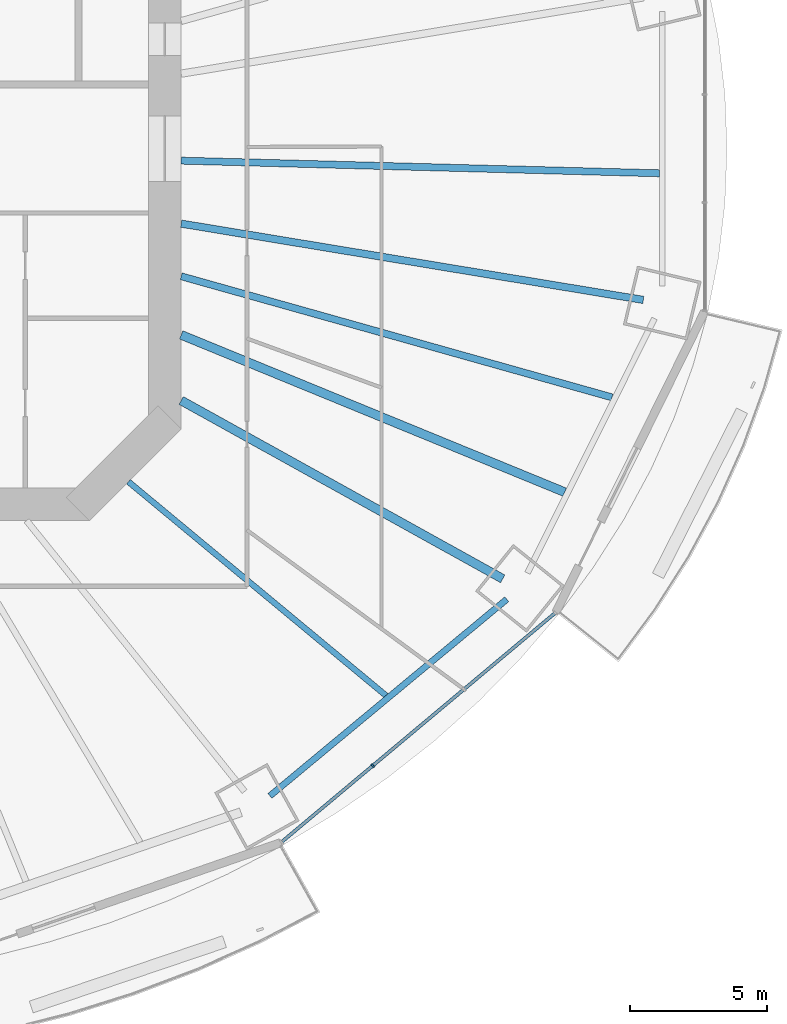
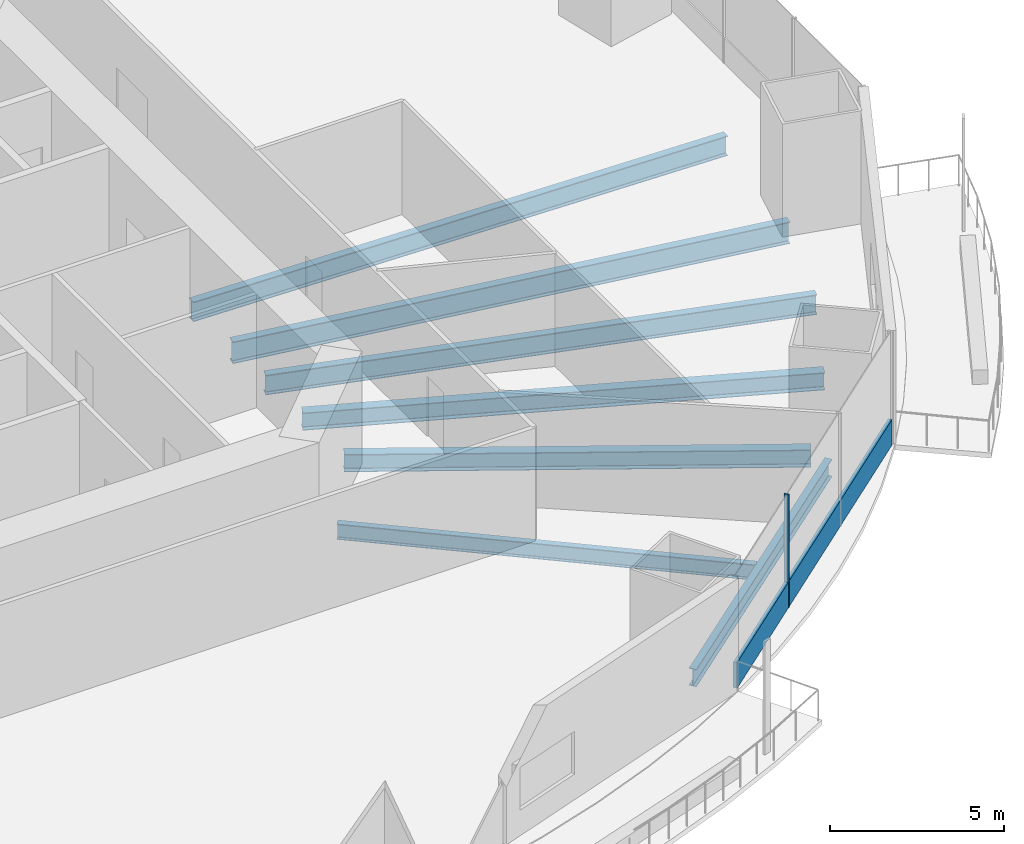
# One storey, part 5 of 23: 7 beams, 2 members, 1 element without a shape of its own.
"""IFC4 building model written with IfcOpenShell, lengths in metres."""

import ifcopenshell
import ifcopenshell.guid

model = None  # the IFC model being written
_history = None  # IfcOwnerHistory: only IFC2X3 demands one
_inside = {}  # id of a spatial element -> (the spatial element, [elements in it])
_under = {}  # id of a project, library or spatial element -> (it, [spatial elements below it])
_declared = {}  # id of a project -> (the project, [libraries it declares])
_typed = {}  # id of a type object -> (the type object, [elements of that type])
_made_of = {}  # id of a material, layer set ... -> (it, [elements and type objects made of it])


def new_model(schema):
    """Start an empty IFC model of exactly this schema.

    Asked for "IFC4X3", IfcOpenShell would pick the latest addendum, in which some entities
    have other attributes; the version numbers below select the first issue.
    IFC2X3 requires an IfcOwnerHistory on every rooted entity: one is made here for all.
    """
    global model, _history
    if schema == "IFC4X3":
        model = ifcopenshell.file(schema_version=(4, 3, 0, 0))
    else:
        model = ifcopenshell.file(schema=schema)
    _inside.clear()
    _under.clear()
    _declared.clear()
    _typed.clear()
    _made_of.clear()
    _history = None
    if model.schema == "IFC2X3":
        org = make("IfcOrganization", Name="unknown")
        user = make(
            "IfcPersonAndOrganization",
            ThePerson=make("IfcPerson", FamilyName="unknown"),
            TheOrganization=org,
        )
        app = make(
            "IfcApplication",
            ApplicationDeveloper=org,
            Version="unknown",
            ApplicationFullName="unknown",
            ApplicationIdentifier="unknown",
        )
        _history = make(
            "IfcOwnerHistory",
            OwningUser=user,
            OwningApplication=app,
            ChangeAction="ADDED",
            CreationDate=0,
        )
    return model


def make(cls, **values):
    """One entity of the class cls with the attributes given. An attribute that is None is left unset."""
    return model.create_entity(
        cls, **{name: value for name, value in values.items() if value is not None}
    )


def rooted(cls, **values):
    """An entity with a GlobalId (a new one), such as an element, a storey or a relation."""
    return make(cls, GlobalId=ifcopenshell.guid.new(), OwnerHistory=_history, **values)


def si_unit(unit_type, name, prefix=None):
    """IfcSIUnit, for example si_unit("LENGTHUNIT", "METRE", prefix="MILLI")."""
    return make("IfcSIUnit", UnitType=unit_type, Prefix=prefix, Name=name)


def assignment(units):
    """IfcUnitAssignment: the units of a project."""
    return None if units is None else make("IfcUnitAssignment", Units=units)


def point(xyz):
    """IfcCartesianPoint."""
    return None if xyz is None else make("IfcCartesianPoint", Coordinates=xyz)


def direction(xyz):
    """IfcDirection."""
    return None if xyz is None else make("IfcDirection", DirectionRatios=xyz)


def frame(location, z_axis=None, x_axis=None):
    """IfcAxis2Placement3D, a coordinate frame: its origin and axes. An axis left out is left unset."""
    return make(
        "IfcAxis2Placement3D",
        Location=point(location),
        Axis=direction(z_axis),
        RefDirection=direction(x_axis),
    )


def frame_2d(location, x_axis=None):
    """IfcAxis2Placement2D, a coordinate frame in the plane: its origin and x axis."""
    return make(
        "IfcAxis2Placement2D", Location=point(location), RefDirection=direction(x_axis)
    )


def origin():
    """The frame at (0, 0, 0) with its axes left unset."""
    return frame((0.0, 0.0, 0.0))


def origin_2d():
    """The frame at (0, 0) in the plane with its x axis left unset."""
    return frame_2d((0.0, 0.0))


def place(relative_to, where):
    """IfcLocalPlacement: puts the frame where relative to a parent placement (None: the world)."""
    return make(
        "IfcLocalPlacement", PlacementRelTo=relative_to, RelativePlacement=where
    )


def context(
    kind, dimensions, precision=None, world=None, true_north=None, identifier=None
):
    """IfcGeometricRepresentationContext, for example the 3D "Model" context."""
    return make(
        "IfcGeometricRepresentationContext",
        ContextIdentifier=identifier,
        ContextType=kind,
        CoordinateSpaceDimension=dimensions,
        Precision=precision,
        WorldCoordinateSystem=world,
        TrueNorth=true_north,
    )


def subcontext(parent, identifier, kind, view, scale=None):
    """IfcGeometricRepresentationSubContext, for example "Body" below "Model"."""
    return make(
        "IfcGeometricRepresentationSubContext",
        ContextIdentifier=identifier,
        ContextType=kind,
        ParentContext=parent,
        TargetScale=scale,
        TargetView=view,
    )


def project(units=None, contexts=None):
    """IfcProject with its units and contexts."""
    return rooted(
        "IfcProject",
        Name="project",
        RepresentationContexts=contexts,
        UnitsInContext=assignment(units),
    )


def spatial(cls, under=None, at=None, **own):
    """A site, building, storey or space (cls), placed at a placement, below another one or the project."""
    s = rooted(cls, ObjectPlacement=at, **own)
    if under is not None:
        _under.setdefault(under.id(), (under, []))[1].append(s)
    return s


def profile(cls, at=None, kind="AREA", **sizes):
    """A parametric profile (cls). Its sizes go by their IFC names, for example OverallWidth=200.0."""
    return make(cls, ProfileType=kind, Position=at, **sizes)


def rectangle(**sizes):
    """IfcRectangleProfileDef."""
    return profile("IfcRectangleProfileDef", **sizes)


def i_section(**sizes):
    """IfcIShapeProfileDef."""
    return profile("IfcIShapeProfileDef", **sizes)


def extrude(swept, where, along, depth):
    """IfcExtrudedAreaSolid: the profile swept, set in the frame where, extruded along a direction by depth."""
    return make(
        "IfcExtrudedAreaSolid",
        SweptArea=swept,
        Position=where,
        ExtrudedDirection=direction(along),
        Depth=depth,
    )


def shape(context_of_items, identifier, shape_type, items):
    """IfcShapeRepresentation: the items that make up one representation, for example the "Body"."""
    return make(
        "IfcShapeRepresentation",
        ContextOfItems=context_of_items,
        RepresentationIdentifier=identifier,
        RepresentationType=shape_type,
        Items=items,
    )


def material(Name=None, Category=None):
    """IfcMaterial."""
    return make("IfcMaterial", Name=Name, Category=Category)


def material_profile(
    of_material, cross_section, Name=None, Category=None, Priority=None
):
    """IfcMaterialProfile: a cross section and its material."""
    return make(
        "IfcMaterialProfile",
        Name=Name,
        Material=of_material,
        Profile=cross_section,
        Priority=Priority,
        Category=Category,
    )


def profile_set(profiles, Name=None, composite=None):
    """IfcMaterialProfileSet."""
    return make(
        "IfcMaterialProfileSet",
        Name=Name,
        MaterialProfiles=profiles,
        CompositeProfile=composite,
    )


def made_of(thing, what):
    """Note that an element or type object is made of a material, layer set ...; save() writes the relation."""
    if what is not None:
        _made_of.setdefault(what.id(), (what, []))[1].append(thing)
    return thing


def type_object(cls, material=None, **own):
    """A type object (cls), such as IfcWallType, which elements share."""
    return made_of(rooted(cls, **own), material)


def element(
    cls,
    number,
    at=None,
    inside=None,
    cuts=None,
    type_object=None,
    material=None,
    context=None,
    identifier="Body",
    shape_type=None,
    held_by="IfcProductDefinitionShape",
    body=None,
    shapes=None,
    **own,
):
    """One element of the class cls, such as IfcWall. Its Tag is "e" and its number.

    at: its placement. inside: the storey or other place that contains it. cuts: it is an
    opening in that element (IfcRelVoidsElement). A single representation is given by context,
    identifier, shape_type and body (its items); several are given by shapes. held_by: the class
    of the entity that holds the representations. save() writes the other relations.
    """
    e = rooted(cls, Tag="e%d" % number, ObjectPlacement=at, **own)
    if body is not None:
        shapes = [shape(context, identifier, shape_type, body)]
    if shapes is not None:
        e.Representation = make(held_by, Representations=shapes)
    if inside is not None:
        _inside.setdefault(inside.id(), (inside, []))[1].append(e)
    if cuts is not None:
        rooted(
            "IfcRelVoidsElement", RelatingBuildingElement=cuts, RelatedOpeningElement=e
        )
    if type_object is not None:
        _typed.setdefault(type_object.id(), (type_object, []))[1].append(e)
    return made_of(e, material)


def aggregate(whole, parts):
    """IfcRelAggregates: a whole, such as a stair, and the parts it consists of."""
    return rooted("IfcRelAggregates", RelatingObject=whole, RelatedObjects=parts)


def save(model, path):
    """Write the relations noted so far, then the file.

    IfcRelAggregates (storeys below a building ...), IfcRelContainedInSpatialStructure (elements
    in a storey), IfcRelDefinesByType, IfcRelAssociatesMaterial and IfcRelDeclares: one each for
    every whole, place, type object, material and project.
    """
    for whole, parts in _under.values():
        aggregate(whole, parts)
    for where, things in _inside.values():
        rooted(
            "IfcRelContainedInSpatialStructure",
            RelatedElements=things,
            RelatingStructure=where,
        )
    for kind, things in _typed.values():
        rooted("IfcRelDefinesByType", RelatedObjects=things, RelatingType=kind)
    for what, things in _made_of.values():
        rooted("IfcRelAssociatesMaterial", RelatedObjects=things, RelatingMaterial=what)
    for by, libraries in _declared.values():
        rooted("IfcRelDeclares", RelatingContext=by, RelatedDefinitions=libraries)
    model.write(path)


model = new_model("IFC4")

# Units and contexts
model_context = context("Model", 3, precision=1e-05, world=origin(), true_north=direction((0.0, 1.0)))
body_context = subcontext(model_context, "Body", "Model", "MODEL_VIEW")
ifc_project = project(units=[si_unit("LENGTHUNIT", "METRE"), si_unit("AREAUNIT", "SQUARE_METRE"), si_unit("VOLUMEUNIT", "CUBIC_METRE"), si_unit("PLANEANGLEUNIT", "RADIAN"), si_unit("MASSUNIT", "GRAM", prefix="KILO")], contexts=[model_context])

# Site, building, storey
site_placement = place(None, origin())
site = spatial("IfcSite", under=ifc_project, at=site_placement, CompositionType="ELEMENT")
building_placement = place(site_placement, origin())
building = spatial("IfcBuilding", under=site, at=building_placement, Name="Marenthal Gate Tower", CompositionType="ELEMENT")
storey_placement = place(building_placement, frame((0.0, 0.0, 53.75)))
storey = spatial("IfcBuildingStorey", under=building, at=storey_placement, Name="L09", CompositionType="ELEMENT", Elevation=53.75)

# Curtain wall, members
ifc_material_1 = material(Name="Aluminium and glass", Category="aluminium")
curtain_wall_type = type_object("IfcCurtainWallType", Name="Curtain wall typical low", PredefinedType="NOTDEFINED", material=ifc_material_1)
curtain_wall_placement = place(storey_placement, origin())
curtain_wall = element("IfcCurtainWall", 1, at=curtain_wall_placement, inside=storey, type_object=curtain_wall_type, Name="Curtain wall L09 bay 14", PredefinedType="NOTDEFINED")
ifc_material_2 = material(Name="Aluminium", Category="aluminium")
ifc_material_profile_1 = material_profile(ifc_material_2, rectangle(XDim=0.159912109375, YDim=0.06005859375, at=origin_2d()), Name="60x160 aluminium mullion")
ifc_profile_set_1 = profile_set([ifc_material_profile_1], Name="Aluminium")
member_type_1 = type_object("IfcMemberType", Name="Mullion 60x160 typical low", PredefinedType="MULLION", material=ifc_profile_set_1)
member_1_placement = place(storey_placement, frame((23.6025390625, -22.5595703125, 0.0), z_axis=(0.0, 0.0, 1.0), x_axis=(-0.642047277641, 0.766665046336, 0.0)))
member_1 = element("IfcMember", 2, at=member_1_placement, type_object=member_type_1, Name="Mullion L09 bay 14.2", PredefinedType="MULLION", context=body_context, shape_type="SweptSolid", body=[
    extrude(rectangle(XDim=0.159912109375, YDim=0.06005859375, at=origin_2d()), origin(), (0.0, 0.0, 1.0), 3.969970703125),
])
ifc_material_3 = material(Name="Aluminium", Category="aluminium")
ifc_material_profile_2 = material_profile(ifc_material_3, rectangle(XDim=0.1201171875, YDim=0.89990234375, at=origin_2d()), Name="120x900 aluminium transom")
ifc_profile_set_2 = profile_set([ifc_material_profile_2], Name="Aluminium")
member_type_2 = type_object("IfcMemberType", Name="Transom 120x900 typical low", PredefinedType="USERDEFINED", material=ifc_profile_set_2)
member_2_placement = place(storey_placement, frame((20.289794921875, -25.333740234375, 0.449951171875), z_axis=(0.766672707648, 0.6420381292, 0.0), x_axis=(-0.6420381292, 0.766672707648, 0.0)))
member_2 = element("IfcMember", 3, at=member_2_placement, type_object=member_type_2, Name="Transom L09 bay 14", ObjectType="TRANSOM", PredefinedType="USERDEFINED", context=body_context, shape_type="SweptSolid", body=[
    extrude(rectangle(XDim=0.1201171875, YDim=0.89990234375, at=origin_2d()), origin(), (0.0, 0.0, 1.0), 12.9931640625),
])
aggregate(curtain_wall, [member_1, member_2])

# Beams
ifc_material_4 = material(Name="Steel S355", Category="steel")
ifc_material_profile_3 = material_profile(ifc_material_4, i_section(OverallWidth=0.2119140625, OverallDepth=0.5439453125, WebThickness=0.01318359375, FlangeThickness=0.021240234375, FilletRadius=0.0126953125, at=origin_2d()), Name="W530X123")
ifc_profile_set_3 = profile_set([ifc_material_profile_3], Name="Steel S355")
beam_type_1 = type_object("IfcBeamType", Name="W530X123 beam", PredefinedType="BEAM", material=ifc_profile_set_3)
beam_1_placement = place(storey_placement, frame((24.085205078125, -19.99267578125, -0.451904296875), z_axis=(-0.769446518411, 0.638711245639, 0.0), x_axis=(-0.638711245639, -0.769446518411, 0.0)))
element("IfcBeam", 4, at=beam_1_placement, inside=storey, type_object=beam_type_1, Name="BM-L09-37", PredefinedType="BEAM", context=body_context, shape_type="SweptSolid", body=[
    extrude(i_section(OverallWidth=0.2119140625, OverallDepth=0.5439453125, WebThickness=0.01318359375, FlangeThickness=0.021240234375, FilletRadius=0.0126953125, at=origin_2d()), origin(), (0.0, 0.0, 1.0), 12.235595703125),
])
ifc_material_5 = material(Name="Steel S355", Category="steel")
ifc_material_profile_4 = material_profile(ifc_material_5, i_section(OverallWidth=0.22900390625, OverallDepth=0.612060546875, WebThickness=0.011962890625, FlangeThickness=0.01953125, FilletRadius=0.0126953125, at=origin_2d()), Name="W610X125")
ifc_profile_set_4 = profile_set([ifc_material_profile_4], Name="Steel S355")
beam_type_2 = type_object("IfcBeamType", Name="W610X125 beam", PredefinedType="BEAM", material=ifc_profile_set_4)
beam_2_placement = place(storey_placement, frame((19.8427734375, -23.6630859375, -0.486083984375), z_axis=(0.76943582663, 0.638724125658, 0.0), x_axis=(-0.638724125658, 0.76943582663, 0.0)))
element("IfcBeam", 5, at=beam_2_placement, inside=storey, type_object=beam_type_2, Name="BM-L09-54", PredefinedType="BEAM", context=body_context, shape_type="SweptSolid", body=[
    extrude(i_section(OverallWidth=0.22900390625, OverallDepth=0.612060546875, WebThickness=0.011962890625, FlangeThickness=0.01953125, FilletRadius=0.0126953125, at=origin_2d()), origin(), (0.0, 0.0, 1.0), 11.257080078125),
])
ifc_material_6 = material(Name="Steel S355", Category="steel")
ifc_material_profile_5 = material_profile(ifc_material_6, i_section(OverallWidth=0.324951171875, OverallDepth=0.612060546875, WebThickness=0.0126953125, FlangeThickness=0.01904296875, FilletRadius=0.0126953125, at=origin_2d()), Name="W610X155")
ifc_profile_set_5 = profile_set([ifc_material_profile_5], Name="Steel S355")
beam_type_3 = type_object("IfcBeamType", Name="W610X155 beam", PredefinedType="BEAM", material=ifc_profile_set_5)
beam_3_placement = place(storey_placement, frame((28.355712890625, -15.727294921875, -0.486083984375), z_axis=(-0.874492882968, 0.485038346565, 0.0), x_axis=(-0.485038346565, -0.874492882968, 0.0)))
element("IfcBeam", 6, at=beam_3_placement, inside=storey, type_object=beam_type_3, Name="BM-L09-15", PredefinedType="BEAM", context=body_context, shape_type="SweptSolid", body=[
    extrude(i_section(OverallWidth=0.324951171875, OverallDepth=0.612060546875, WebThickness=0.0126953125, FlangeThickness=0.01904296875, FilletRadius=0.0126953125, at=origin_2d()), origin(), (0.0, 0.0, 1.0), 13.44287109375),
])
beam_4_placement = place(storey_placement, frame((30.6201171875, -12.55810546875, -0.486083984375), z_axis=(-0.925210391668, 0.379454517894, 0.0), x_axis=(-0.379454517894, -0.925210391668, 0.0)))
element("IfcBeam", 7, at=beam_4_placement, inside=storey, type_object=beam_type_3, Name="BM-L09-38", PredefinedType="BEAM", context=body_context, shape_type="SweptSolid", body=[
    extrude(i_section(OverallWidth=0.324951171875, OverallDepth=0.612060546875, WebThickness=0.0126953125, FlangeThickness=0.01904296875, FilletRadius=0.0126953125, at=origin_2d()), origin(), (0.0, 0.0, 1.0), 15.1533203125),
])
ifc_material_7 = material(Name="Steel S355", Category="steel")
ifc_material_profile_6 = material_profile(ifc_material_7, i_section(OverallWidth=0.257080078125, OverallDepth=0.693115234375, WebThickness=0.014404296875, FlangeThickness=0.023681640625, FilletRadius=0.015380859375, at=origin_2d()), Name="W690X170")
ifc_profile_set_6 = profile_set([ifc_material_profile_6], Name="Steel S355")
beam_type_4 = type_object("IfcBeamType", Name="W690X170 beam", PredefinedType="BEAM", material=ifc_profile_set_6)
beam_5_placement = place(storey_placement, frame((32.349365234375, -9.092529296875, -0.526611328125), z_axis=(-0.962694320478, 0.27059128833, 0.0), x_axis=(-0.27059128833, -0.962694320478, 0.0)))
element("IfcBeam", 8, at=beam_5_placement, inside=storey, type_object=beam_type_4, Name="BM-L09-39", PredefinedType="BEAM", context=body_context, shape_type="SweptSolid", body=[
    extrude(i_section(OverallWidth=0.257080078125, OverallDepth=0.693115234375, WebThickness=0.014404296875, FlangeThickness=0.023681640625, FilletRadius=0.015380859375, at=origin_2d()), origin(), (0.0, 0.0, 1.0), 16.359619140625),
])
beam_6_placement = place(storey_placement, frame((34.082275390625, -0.900390625, -0.526611328125), z_axis=(-0.999651121674, 0.026412779787, 0.0), x_axis=(-0.026412779787, -0.999651121674, 0.0)))
element("IfcBeam", 9, at=beam_6_placement, inside=storey, type_object=beam_type_4, Name="BM-L09-40", PredefinedType="BEAM", context=body_context, shape_type="SweptSolid", body=[
    extrude(i_section(OverallWidth=0.257080078125, OverallDepth=0.693115234375, WebThickness=0.014404296875, FlangeThickness=0.023681640625, FilletRadius=0.015380859375, at=origin_2d()), origin(), (0.0, 0.0, 1.0), 17.48828125),
])
ifc_material_8 = material(Name="Steel S355", Category="steel")
ifc_material_profile_7 = material_profile(ifc_material_8, i_section(OverallWidth=0.26708984375, OverallDepth=0.761962890625, WebThickness=0.014404296875, FlangeThickness=0.021484375, FilletRadius=0.0166015625, at=origin_2d()), Name="W760X173")
ifc_profile_set_7 = profile_set([ifc_material_profile_7], Name="Steel S355")
beam_type_5 = type_object("IfcBeamType", Name="W760X173 beam", PredefinedType="BEAM", material=ifc_profile_set_7)
beam_7_placement = place(storey_placement, frame((33.494384765625, -5.530517578125, -0.56103515625), z_axis=(-0.986640584699, 0.162912113192, 0.0), x_axis=(-0.162912113192, -0.986640584699, 0.0)))
element("IfcBeam", 10, at=beam_7_placement, inside=storey, type_object=beam_type_5, Name="BM-L09-16", PredefinedType="BEAM", context=body_context, shape_type="SweptSolid", body=[
    extrude(i_section(OverallWidth=0.26708984375, OverallDepth=0.761962890625, WebThickness=0.014404296875, FlangeThickness=0.021484375, FilletRadius=0.0166015625, at=origin_2d()), origin(), (0.0, 0.0, 1.0), 17.123046875),
])

save(model, "model.ifc")
